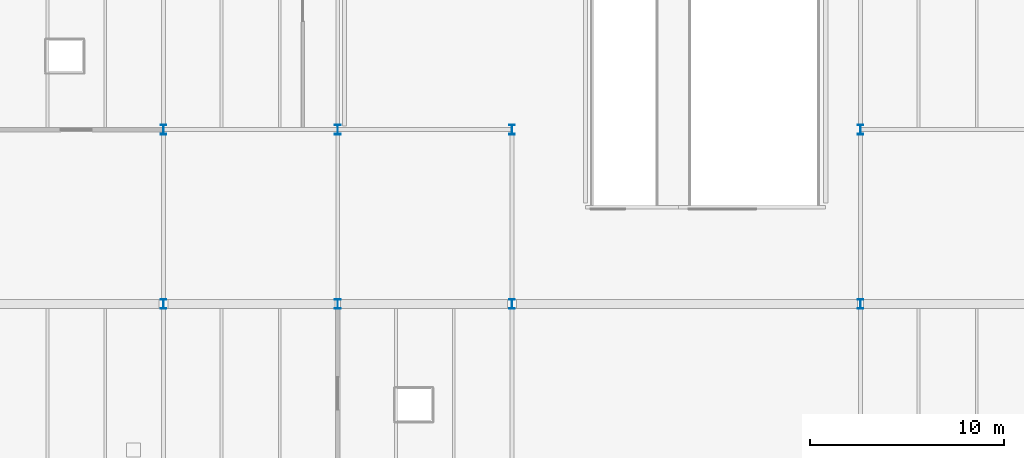
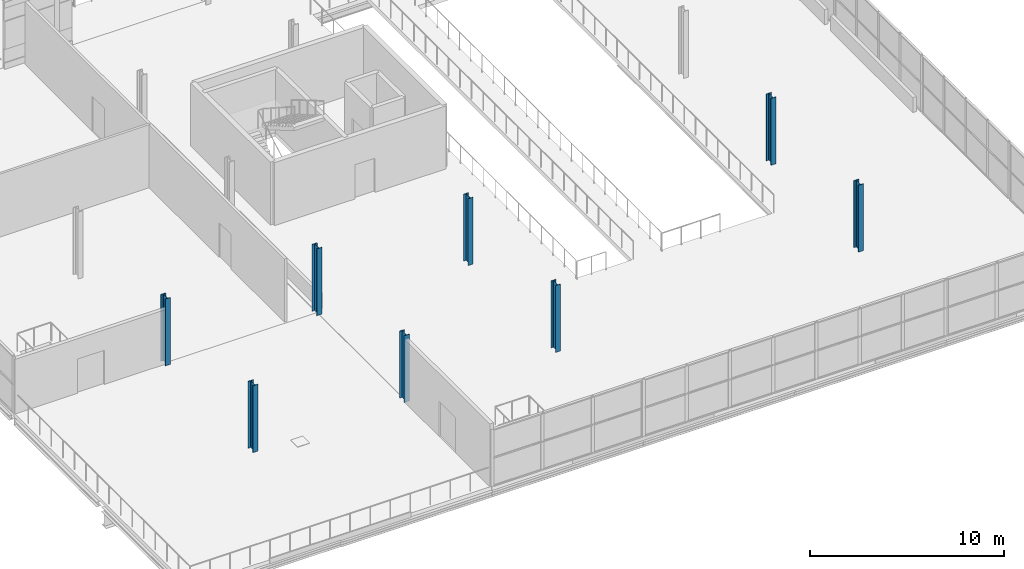
# One storey, part 2 of 88: 8 columns.
"""IFC4 building model written with IfcOpenShell, lengths in metres."""

from ifc_helpers import new_model, si_unit, direction, frame, origin, origin_2d, place, context, subcontext, project, spatial, i_section, extrude, material, material_profile, profile_set, type_object, element, save


model = new_model("IFC4")

# Units and contexts
model_context = context("Model", 3, precision=1e-05, world=origin(), true_north=direction((0.0, 1.0)))
body_context = subcontext(model_context, "Body", "Model", "MODEL_VIEW")
ifc_project = project(units=[si_unit("LENGTHUNIT", "METRE"), si_unit("AREAUNIT", "SQUARE_METRE"), si_unit("VOLUMEUNIT", "CUBIC_METRE"), si_unit("PLANEANGLEUNIT", "RADIAN"), si_unit("MASSUNIT", "GRAM", prefix="KILO")], contexts=[model_context])

# Site, building, storey
site_placement = place(None, origin())
site = spatial("IfcSite", under=ifc_project, at=site_placement, CompositionType="ELEMENT")
building_placement = place(site_placement, origin())
building = spatial("IfcBuilding", under=site, at=building_placement, Name="Deido Ridge Mobility Hub", CompositionType="ELEMENT")
storey_placement = place(building_placement, frame((0.0, 0.0, 16.800048828125)))
storey = spatial("IfcBuildingStorey", under=building, at=storey_placement, Name="L04", CompositionType="ELEMENT", Elevation=16.800048828125)

# Columns
ifc_material = material(Name="Steel S355J2 EN 10025-2", Category="steel")
ifc_material_profile = material_profile(ifc_material, i_section(OverallWidth=0.300048828125, OverallDepth=0.5, WebThickness=0.014404296875, FlangeThickness=0.028076171875, FilletRadius=0.027099609375, at=origin_2d()), Name="HEB 500")
ifc_profile_set = profile_set([ifc_material_profile], Name="Steel S355J2 EN 10025-2")
column_type = type_object("IfcColumnType", Name="COL-HEB500", PredefinedType="COLUMN", material=ifc_profile_set)
for number, where, z_axis, x_axis, name in (
    (1, (72.0, 45.0, 0.0), (0.0, 0.0, 1.0), (1.0, 0.0, 0.0), "Structural column C5"),
    (2, (72.0, 54.0, 0.0), (0.0, 0.0, 1.0), (1.0, 0.0, 0.0), "Structural column C5"),
    (3, (81.0, 45.0, 0.0), (0.0, 0.0, 1.0), (1.0, 0.0, 0.0), "Structural column C5"),
    (4, (81.0, 54.0, 0.0), (0.0, 0.0, 1.0), (1.0, 0.0, 0.0), "Structural column C5"),
    (5, (99.0, 45.0, 0.0), (0.0, 0.0, 1.0), (1.0, 0.0, 0.0), "Structural column C5"),
    (6, (99.0, 54.0, 0.0), (0.0, 0.0, 1.0), (1.0, 0.0, 0.0), "Structural column C5"),
    (7, (63.0, 54.0, 0.0), (0.0, 0.0, 1.0), (1.0, 0.0, 0.0), "Structural column C5"),
    (8, (63.0, 45.0, 0.0), (0.0, 0.0, 1.0), (1.0, 0.0, 0.0), "Structural column C5"),
):
    element("IfcColumn", number, at=place(storey_placement, frame(where, z_axis=z_axis, x_axis=x_axis)), inside=storey, type_object=column_type, Name=name, PredefinedType="COLUMN", context=body_context, shape_type="SweptSolid", body=[
        extrude(i_section(OverallWidth=0.300048828125, OverallDepth=0.5, WebThickness=0.014404296875, FlangeThickness=0.028076171875, FilletRadius=0.027099609375, at=origin_2d()), origin(), (0.0, 0.0, 1.0), 4.199951171875),
    ])

save(model, "model.ifc")
